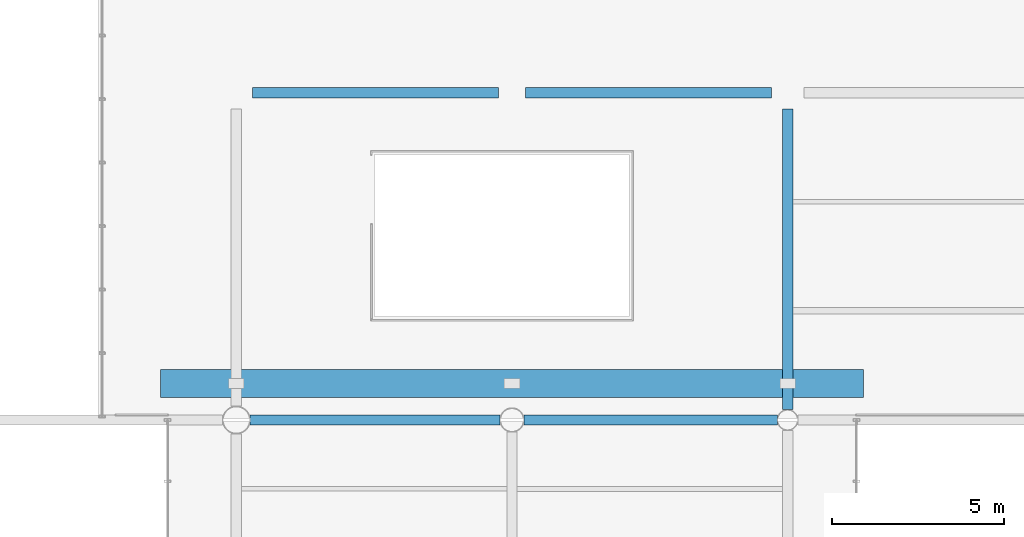
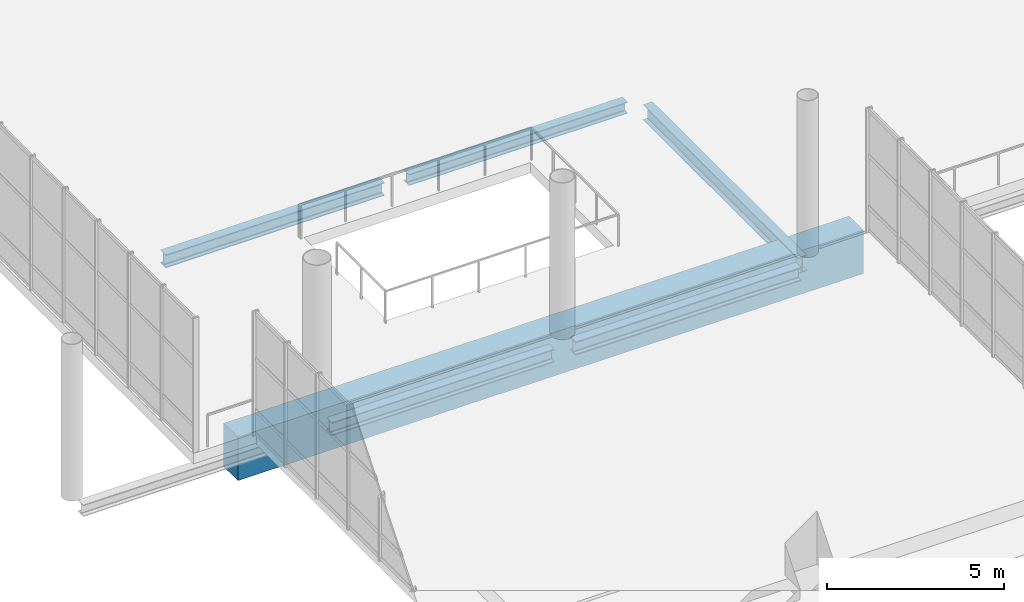
# One storey, part 55 of 176: 6 beams.
"""IFC4 building model written with IfcOpenShell, lengths in metres."""

from ifc_helpers import new_model, si_unit, direction, frame, origin, origin_2d, place, context, subcontext, project, spatial, rectangle, i_section, extrude, material, material_profile, profile_set, type_object, element, save


model = new_model("IFC4")

# Units and contexts
model_context = context("Model", 3, precision=1e-05, world=origin(), true_north=direction((0.0, 1.0)))
body_context = subcontext(model_context, "Body", "Model", "MODEL_VIEW")
ifc_project = project(units=[si_unit("LENGTHUNIT", "METRE"), si_unit("AREAUNIT", "SQUARE_METRE"), si_unit("VOLUMEUNIT", "CUBIC_METRE"), si_unit("PLANEANGLEUNIT", "RADIAN"), si_unit("MASSUNIT", "GRAM", prefix="KILO")], contexts=[model_context])

# Site, building, storey
site_placement = place(None, origin())
site = spatial("IfcSite", under=ifc_project, at=site_placement, CompositionType="ELEMENT")
building_placement = place(site_placement, origin())
building = spatial("IfcBuilding", under=site, at=building_placement, Name="Khorjan Park Terminus", CompositionType="ELEMENT")
storey_placement = place(building_placement, frame((0.0, 0.0, 6.0)))
storey = spatial("IfcBuildingStorey", under=building, at=storey_placement, Name="L01", CompositionType="ELEMENT", Elevation=6.0)

# Beams
ifc_material_1 = material(Name="Steel S355", Category="steel")
ifc_material_profile_1 = material_profile(ifc_material_1, i_section(OverallWidth=0.3, OverallDepth=0.39, WebThickness=0.011, FlangeThickness=0.019, FilletRadius=0.027, at=origin_2d()), Name="HEA 400")
ifc_profile_set_1 = profile_set([ifc_material_profile_1], Name="Steel S355")
beam_type_1 = type_object("IfcBeamType", Name="BM-HEA400", PredefinedType="BEAM", material=ifc_profile_set_1)
beam_1_placement = place(storey_placement, frame((64.395, 111.5, -0.555), z_axis=(1.0, 0.0, 0.0), x_axis=(0.0, 1.0, 0.0)))
element("IfcBeam", 1, at=beam_1_placement, inside=storey, type_object=beam_type_1, Name="Primary floor girder SB-A40 (L01)", PredefinedType="BEAM", context=body_context, shape_type="SweptSolid", body=[
    extrude(i_section(OverallWidth=0.3, OverallDepth=0.39, WebThickness=0.011, FlangeThickness=0.019, FilletRadius=0.027, at=origin_2d()), origin(), (0.0, 0.0, 1.0), 7.135),
])
ifc_material_profile_2 = material_profile(ifc_material_1, i_section(OverallWidth=0.3, OverallDepth=0.44, WebThickness=0.0115, FlangeThickness=0.021, FilletRadius=0.027, at=origin_2d()), Name="HEA 450")
ifc_profile_set_2 = profile_set([ifc_material_profile_2], Name="Steel S355")
beam_type_2 = type_object("IfcBeamType", Name="BM-HEA450", PredefinedType="BEAM", material=ifc_profile_set_2)
beam_2_placement = place(storey_placement, frame((56.4015, 102.0, -0.58), z_axis=(1.0, 0.0, 0.0), x_axis=(0.0, 1.0, 0.0)))
element("IfcBeam", 2, at=beam_2_placement, inside=storey, type_object=beam_type_2, Name="Primary floor girder SB-A45 (L01)", PredefinedType="BEAM", context=body_context, shape_type="SweptSolid", body=[
    extrude(i_section(OverallWidth=0.3, OverallDepth=0.44, WebThickness=0.0115, FlangeThickness=0.021, FilletRadius=0.027, at=origin_2d()), origin(), (0.0, 0.0, 1.0), 7.248),
])
ifc_material_profile_3 = material_profile(ifc_material_1, i_section(OverallWidth=0.3, OverallDepth=0.54, WebThickness=0.0125, FlangeThickness=0.024, FilletRadius=0.027, at=origin_2d()), Name="HEA 550")
ifc_profile_set_3 = profile_set([ifc_material_profile_3], Name="Steel S355")
beam_type_3 = type_object("IfcBeamType", Name="BM-HEA550", PredefinedType="BEAM", material=ifc_profile_set_3)
beam_3_placement = place(storey_placement, frame((72.0, 102.3, -0.63), z_axis=(0.0, 1.0, 0.0), x_axis=(-1.0, 0.0, 0.0)))
element("IfcBeam", 3, at=beam_3_placement, inside=storey, type_object=beam_type_3, Name="Primary floor girder SB-A55 (L01)", PredefinedType="BEAM", context=body_context, shape_type="SweptSolid", body=[
    extrude(i_section(OverallWidth=0.3, OverallDepth=0.54, WebThickness=0.0125, FlangeThickness=0.024, FilletRadius=0.027, at=origin_2d()), origin(), (0.0, 0.0, 1.0), 8.73),
])
ifc_material_profile_4 = material_profile(ifc_material_1, i_section(OverallWidth=0.3, OverallDepth=0.45, WebThickness=0.014, FlangeThickness=0.026, FilletRadius=0.027, at=origin_2d()), Name="HEB 450")
ifc_profile_set_4 = profile_set([ifc_material_profile_4], Name="Steel S355")
beam_type_4 = type_object("IfcBeamType", Name="BM-HEB450", PredefinedType="BEAM", material=ifc_profile_set_4)
beam_4_placement = place(storey_placement, frame((64.3505, 102.0, -0.585), z_axis=(1.0, 0.0, 0.0), x_axis=(0.0, 1.0, 0.0)))
element("IfcBeam", 4, at=beam_4_placement, inside=storey, type_object=beam_type_4, Name="Primary floor girder SB-B45 (L01)", PredefinedType="BEAM", context=body_context, shape_type="SweptSolid", body=[
    extrude(i_section(OverallWidth=0.3, OverallDepth=0.45, WebThickness=0.014, FlangeThickness=0.026, FilletRadius=0.027, at=origin_2d()), origin(), (0.0, 0.0, 1.0), 7.3495),
])
beam_5_placement = place(storey_placement, frame((56.47, 111.5, -0.585), z_axis=(1.0, 0.0, 0.0), x_axis=(0.0, 1.0, 0.0)))
element("IfcBeam", 5, at=beam_5_placement, inside=storey, type_object=beam_type_4, Name="Primary floor girder SB-B45 (L01)", PredefinedType="BEAM", context=body_context, shape_type="SweptSolid", body=[
    extrude(i_section(OverallWidth=0.3, OverallDepth=0.45, WebThickness=0.014, FlangeThickness=0.026, FilletRadius=0.027, at=origin_2d()), origin(), (0.0, 0.0, 1.0), 7.135),
])
ifc_material_2 = material(Name="Concrete C50/60", Category="concrete")
ifc_material_profile_5 = material_profile(ifc_material_2, rectangle(XDim=0.8, YDim=1.5, at=origin_2d()), Name="RC 800x1500")
ifc_profile_set_5 = profile_set([ifc_material_profile_5], Name="Concrete C50/60")
beam_type_5 = type_object("IfcBeamType", Name="BM-RC800x1500", PredefinedType="BEAM", material=ifc_profile_set_5)
beam_6_placement = place(storey_placement, frame((53.8, 103.06, -1.19), z_axis=(1.0, 0.0, 0.0), x_axis=(0.0, 1.0, 0.0)))
element("IfcBeam", 6, at=beam_6_placement, inside=storey, type_object=beam_type_5, Name="Over-track bridge 650 mm expansion-joint bearing seat girder GB-15 (1)", PredefinedType="BEAM", context=body_context, shape_type="SweptSolid", body=[
    extrude(rectangle(XDim=0.8, YDim=1.5, at=origin_2d()), origin(), (0.0, 0.0, 1.0), 20.4),
])

save(model, "model.ifc")
